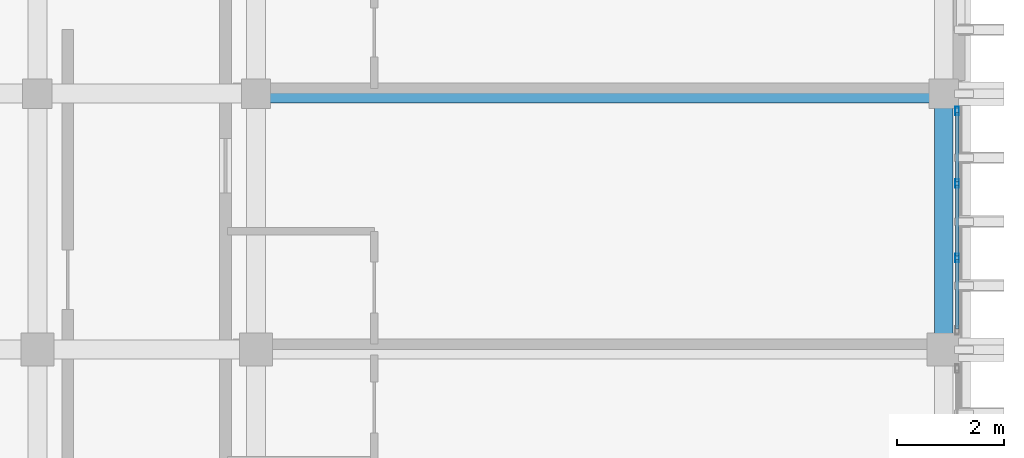
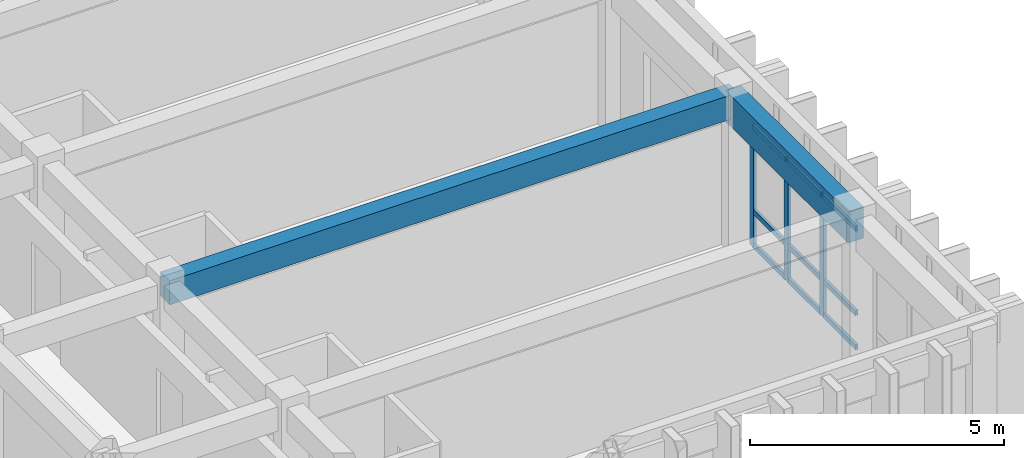
# One storey, part 8 of 50: 12 members, 2 beams, 1 element without a shape of its own.
"""IFC4 building model written with IfcOpenShell, lengths in metres."""

from ifc_helpers import new_model, si_unit, direction, frame, origin, origin_2d, place, context, subcontext, project, spatial, rectangle, hollow_rectangle, extrude, material, layer, layer_set, material_profile, profile_set, type_object, element, aggregate, save


model = new_model("IFC4")

# Units and contexts
model_context = context("Model", 3, precision=1e-05, world=origin(), true_north=direction((0.0, 1.0)))
body_context = subcontext(model_context, "Body", "Model", "MODEL_VIEW")
ifc_project = project(units=[si_unit("LENGTHUNIT", "METRE"), si_unit("AREAUNIT", "SQUARE_METRE"), si_unit("VOLUMEUNIT", "CUBIC_METRE"), si_unit("PLANEANGLEUNIT", "RADIAN"), si_unit("MASSUNIT", "GRAM", prefix="KILO")], contexts=[model_context])

# Site, building, storey
site_placement = place(None, origin())
site = spatial("IfcSite", under=ifc_project, at=site_placement, CompositionType="ELEMENT")
building_placement = place(site_placement, origin())
building = spatial("IfcBuilding", under=site, at=building_placement, Name="Nakhvara Creek Congress Hotel", CompositionType="ELEMENT")
storey_placement = place(building_placement, frame((0.0, 0.0, 42.60009765625)))
storey = spatial("IfcBuildingStorey", under=building, at=storey_placement, Name="L10", CompositionType="ELEMENT", Elevation=42.60009765625)

# Beams
ifc_material_1 = material(Name="Concrete C40/50", Category="concrete")
ifc_material_profile_1 = material_profile(ifc_material_1, rectangle(XDim=0.360107421875, YDim=0.580078125, at=origin_2d()), Name="RC-BM 360x580", Category="LoadBearing")
ifc_profile_set_1 = profile_set([ifc_material_profile_1], Name="Concrete C40/50")
beam_type_1 = type_object("IfcBeamType", Name="BM-RC-360X580", PredefinedType="BEAM", material=ifc_profile_set_1)
beam_1_placement = place(storey_placement, frame((166.449951171875, 72.0, 3.369873046875), z_axis=(1.0, 0.0, 0.0), x_axis=(0.0, 1.0, 0.0)))
element("IfcBeam", 1, at=beam_1_placement, inside=storey, type_object=beam_type_1, Name="Beam B09-L10-2714", PredefinedType="BEAM", context=body_context, shape_type="SweptSolid", body=[
    extrude(rectangle(XDim=0.360107421875, YDim=0.580078125, at=origin_2d()), origin(), (0.0, 0.0, 1.0), 12.900146484375),
])
ifc_material_profile_2 = material_profile(ifc_material_1, rectangle(XDim=0.35009765625, YDim=0.75, at=origin_2d()), Name="RC-SPANDREL 350x750", Category="LoadBearing")
ifc_profile_set_2 = profile_set([ifc_material_profile_2], Name="Concrete C40/50")
beam_type_2 = type_object("IfcBeamType", Name="BM-SPN-350X750", PredefinedType="SPANDREL", material=ifc_profile_set_2)
beam_2_placement = place(storey_placement, frame((179.35009765625, 67.199951171875, 3.284912109375), z_axis=(0.0, 1.0, 0.0), x_axis=(-1.0, 0.0, 0.0)))
element("IfcBeam", 2, at=beam_2_placement, inside=storey, type_object=beam_type_2, Name="Beam SP1-L10-2689", PredefinedType="SPANDREL", context=body_context, shape_type="SweptSolid", body=[
    extrude(rectangle(XDim=0.35009765625, YDim=0.75, at=origin_2d()), origin(), (0.0, 0.0, 1.0), 4.800048828125),
])

# Curtain wall, members
ifc_material_2 = material(Name="Bronze-anodised aluminium AW-6063-T6 and double-silver low-E glass", Category="aluminium")
ifc_layer = layer(ifc_material_2, 0.199951171875)
ifc_layer_set = layer_set([ifc_layer], Name="Bronze-anodised aluminium AW-6063-T6 and double-silver low-E glass")
curtain_wall_type = type_object("IfcCurtainWallType", Name="CW-HTL-UNIT", PredefinedType="USERDEFINED", material=ifc_layer_set)
curtain_wall_placement = place(storey_placement, origin())
curtain_wall = element("IfcCurtainWall", 3, at=curtain_wall_placement, inside=storey, type_object=curtain_wall_type, Name="Curtain Wall CW316", ObjectType="UNITISED", PredefinedType="USERDEFINED")
ifc_material_3 = material(Name="Bronze-anodised aluminium AW-6063-T6", Category="aluminium")
ifc_material_profile_3 = material_profile(ifc_material_3, hollow_rectangle(XDim=0.06494140625, YDim=0.159912109375, WallThickness=0.00390625, at=origin_2d()), Name="ALU-MULL 65x160x4", Category="LoadBearing")
ifc_profile_set_3 = profile_set([ifc_material_profile_3], Name="Bronze-anodised aluminium AW-6063-T6")
member_type_1 = type_object("IfcMemberType", Name="CW-MULL-160", PredefinedType="MULLION", material=ifc_profile_set_3)
member_1_placement = place(storey_placement, frame((179.60009765625, 71.677490234375, 0.0), z_axis=(0.0, 0.0, 1.0), x_axis=(1.0, 0.0, 0.0)))
member_1 = element("IfcMember", 4, at=member_1_placement, type_object=member_type_1, Name="CW316 mullion 1", PredefinedType="MULLION", context=body_context, shape_type="SweptSolid", body=[
    extrude(hollow_rectangle(XDim=0.06494140625, YDim=0.159912109375, WallThickness=0.00390625, at=origin_2d()), origin(), (0.0, 0.0, 1.0), 2.90185546875),
])
member_2_placement = place(storey_placement, frame((179.60009765625, 70.31494140625, 0.0), z_axis=(0.0, 0.0, 1.0), x_axis=(1.0, 0.0, 0.0)))
member_2 = element("IfcMember", 5, at=member_2_placement, type_object=member_type_1, Name="CW316 mullion 2", PredefinedType="MULLION", context=body_context, shape_type="SweptSolid", body=[
    extrude(hollow_rectangle(XDim=0.06494140625, YDim=0.159912109375, WallThickness=0.00390625, at=origin_2d()), origin(), (0.0, 0.0, 1.0), 2.90185546875),
])
member_3_placement = place(storey_placement, frame((179.60009765625, 68.919921875, 0.0), z_axis=(0.0, 0.0, 1.0), x_axis=(1.0, 0.0, 0.0)))
member_3 = element("IfcMember", 6, at=member_3_placement, type_object=member_type_1, Name="CW316 mullion 3", PredefinedType="MULLION", context=body_context, shape_type="SweptSolid", body=[
    extrude(hollow_rectangle(XDim=0.06494140625, YDim=0.159912109375, WallThickness=0.00390625, at=origin_2d()), origin(), (0.0, 0.0, 1.0), 2.90185546875),
])
ifc_material_profile_4 = material_profile(ifc_material_3, hollow_rectangle(XDim=0.06494140625, YDim=0.1201171875, WallThickness=0.00390625, at=origin_2d()), Name="ALU-TRAN 65x120x4", Category="LoadBearing")
ifc_profile_set_4 = profile_set([ifc_material_profile_4], Name="Bronze-anodised aluminium AW-6063-T6")
member_type_2 = type_object("IfcMemberType", Name="CW-TRAN-120", PredefinedType="USERDEFINED", material=ifc_profile_set_4)
member_4_placement = place(storey_placement, frame((179.60009765625, 71.64501953125, 0.032470703125), z_axis=(0.0, -1.0, 0.0), x_axis=(1.0, 0.0, 0.0)))
member_4 = element("IfcMember", 7, at=member_4_placement, type_object=member_type_2, Name="CW316 transom 1.1", ObjectType="TRANSOM", PredefinedType="USERDEFINED", context=body_context, shape_type="SweptSolid", body=[
    extrude(hollow_rectangle(XDim=0.06494140625, YDim=0.1201171875, WallThickness=0.00390625, at=origin_2d()), origin(), (0.0, 0.0, 1.0), 1.297607421875),
])
member_5_placement = place(storey_placement, frame((179.60009765625, 71.64501953125, 0.849853515625), z_axis=(0.0, -1.0, 0.0), x_axis=(1.0, 0.0, 0.0)))
member_5 = element("IfcMember", 8, at=member_5_placement, type_object=member_type_2, Name="CW316 transom 1.2", ObjectType="TRANSOM", PredefinedType="USERDEFINED", context=body_context, shape_type="SweptSolid", body=[
    extrude(hollow_rectangle(XDim=0.06494140625, YDim=0.1201171875, WallThickness=0.00390625, at=origin_2d()), origin(), (0.0, 0.0, 1.0), 1.297607421875),
])
member_6_placement = place(storey_placement, frame((179.60009765625, 71.64501953125, 2.869384765625), z_axis=(0.0, -1.0, 0.0), x_axis=(1.0, 0.0, 0.0)))
member_6 = element("IfcMember", 9, at=member_6_placement, type_object=member_type_2, Name="CW316 transom 1.3", ObjectType="TRANSOM", PredefinedType="USERDEFINED", context=body_context, shape_type="SweptSolid", body=[
    extrude(hollow_rectangle(XDim=0.06494140625, YDim=0.1201171875, WallThickness=0.00390625, at=origin_2d()), origin(), (0.0, 0.0, 1.0), 1.297607421875),
])
member_7_placement = place(storey_placement, frame((179.60009765625, 70.282470703125, 0.032470703125), z_axis=(0.0, -1.0, 0.0), x_axis=(1.0, 0.0, 0.0)))
member_7 = element("IfcMember", 10, at=member_7_placement, type_object=member_type_2, Name="CW316 transom 2.1", ObjectType="TRANSOM", PredefinedType="USERDEFINED", context=body_context, shape_type="SweptSolid", body=[
    extrude(hollow_rectangle(XDim=0.06494140625, YDim=0.1201171875, WallThickness=0.00390625, at=origin_2d()), origin(), (0.0, 0.0, 1.0), 1.330078125),
])
member_8_placement = place(storey_placement, frame((179.60009765625, 70.282470703125, 0.849853515625), z_axis=(0.0, -1.0, 0.0), x_axis=(1.0, 0.0, 0.0)))
member_8 = element("IfcMember", 11, at=member_8_placement, type_object=member_type_2, Name="CW316 transom 2.2", ObjectType="TRANSOM", PredefinedType="USERDEFINED", context=body_context, shape_type="SweptSolid", body=[
    extrude(hollow_rectangle(XDim=0.06494140625, YDim=0.1201171875, WallThickness=0.00390625, at=origin_2d()), origin(), (0.0, 0.0, 1.0), 1.330078125),
])
member_9_placement = place(storey_placement, frame((179.60009765625, 70.282470703125, 2.869384765625), z_axis=(0.0, -1.0, 0.0), x_axis=(1.0, 0.0, 0.0)))
member_9 = element("IfcMember", 12, at=member_9_placement, type_object=member_type_2, Name="CW316 transom 2.3", ObjectType="TRANSOM", PredefinedType="USERDEFINED", context=body_context, shape_type="SweptSolid", body=[
    extrude(hollow_rectangle(XDim=0.06494140625, YDim=0.1201171875, WallThickness=0.00390625, at=origin_2d()), origin(), (0.0, 0.0, 1.0), 1.330078125),
])
member_10_placement = place(storey_placement, frame((179.60009765625, 68.887451171875, 0.032470703125), z_axis=(0.0, -1.0, 0.0), x_axis=(1.0, 0.0, 0.0)))
member_10 = element("IfcMember", 13, at=member_10_placement, type_object=member_type_2, Name="CW316 transom 3.1", ObjectType="TRANSOM", PredefinedType="USERDEFINED", context=body_context, shape_type="SweptSolid", body=[
    extrude(hollow_rectangle(XDim=0.06494140625, YDim=0.1201171875, WallThickness=0.00390625, at=origin_2d()), origin(), (0.0, 0.0, 1.0), 1.29736328125),
])
member_11_placement = place(storey_placement, frame((179.60009765625, 68.887451171875, 0.849853515625), z_axis=(0.0, -1.0, 0.0), x_axis=(1.0, 0.0, 0.0)))
member_11 = element("IfcMember", 14, at=member_11_placement, type_object=member_type_2, Name="CW316 transom 3.2", ObjectType="TRANSOM", PredefinedType="USERDEFINED", context=body_context, shape_type="SweptSolid", body=[
    extrude(hollow_rectangle(XDim=0.06494140625, YDim=0.1201171875, WallThickness=0.00390625, at=origin_2d()), origin(), (0.0, 0.0, 1.0), 1.29736328125),
])
member_12_placement = place(storey_placement, frame((179.60009765625, 68.887451171875, 2.869384765625), z_axis=(0.0, -1.0, 0.0), x_axis=(1.0, 0.0, 0.0)))
member_12 = element("IfcMember", 15, at=member_12_placement, type_object=member_type_2, Name="CW316 transom 3.3", ObjectType="TRANSOM", PredefinedType="USERDEFINED", context=body_context, shape_type="SweptSolid", body=[
    extrude(hollow_rectangle(XDim=0.06494140625, YDim=0.1201171875, WallThickness=0.00390625, at=origin_2d()), origin(), (0.0, 0.0, 1.0), 1.29736328125),
])
aggregate(curtain_wall, [member_1, member_2, member_3, member_4, member_5, member_6, member_7, member_8, member_9, member_10, member_11, member_12])

save(model, "model.ifc")
